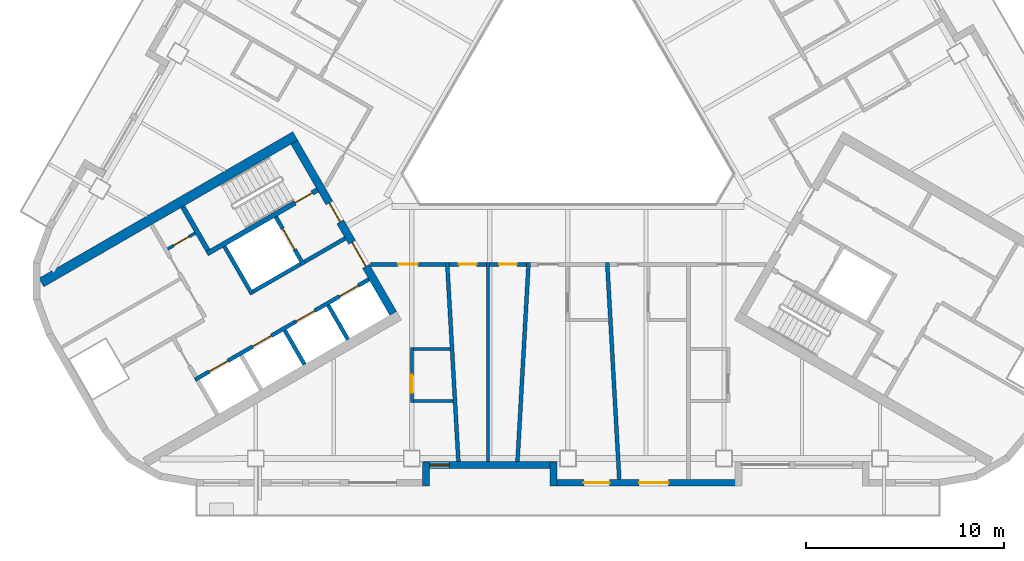
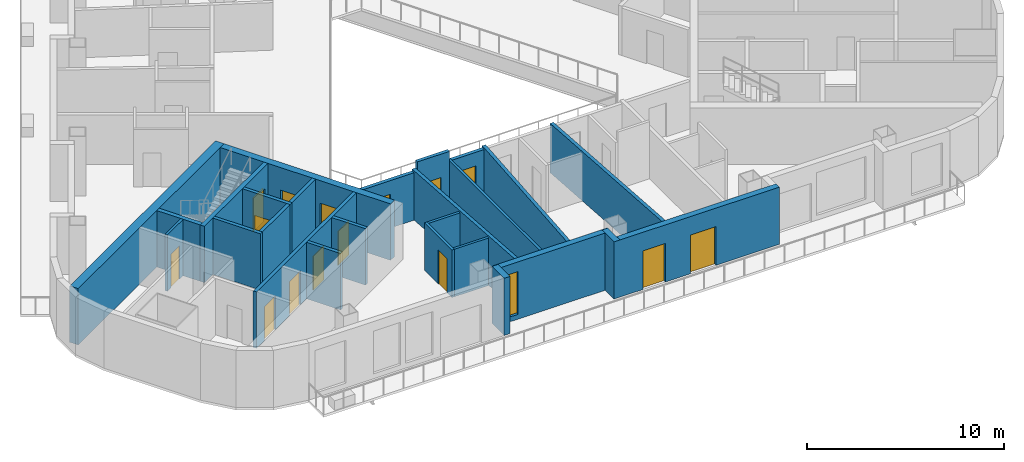
# One storey, part 3 of 14: 26 walls, 15 doors, 1 window, 16 openings.
"""IFC4 building model written with IfcOpenShell, lengths in metres."""

from ifc_helpers import new_model, si_unit, direction, frame, frame_2d, origin, place, context, subcontext, project, spatial, rectangle, extrude, material, layer, layer_set, type_object, element, fill, save


model = new_model("IFC4")

# Units and contexts
model_context = context("Model", 3, precision=1e-05, world=origin(), true_north=direction((0.0, 1.0)))
body_context = subcontext(model_context, "Body", "Model", "MODEL_VIEW")
ifc_project = project(units=[si_unit("LENGTHUNIT", "METRE"), si_unit("AREAUNIT", "SQUARE_METRE"), si_unit("VOLUMEUNIT", "CUBIC_METRE"), si_unit("PLANEANGLEUNIT", "RADIAN"), si_unit("MASSUNIT", "GRAM", prefix="KILO")], contexts=[model_context])

# Site, building, storey
site_placement = place(None, origin())
site = spatial("IfcSite", under=ifc_project, at=site_placement, CompositionType="ELEMENT")
building_placement = place(site_placement, origin())
building = spatial("IfcBuilding", under=site, at=building_placement, Name="Apuvela Tower Hotel", CompositionType="ELEMENT")
storey_placement = place(building_placement, frame((0.0, 0.0, 150.300048828125)))
storey = spatial("IfcBuildingStorey", under=building, at=storey_placement, Name="L35", CompositionType="ELEMENT", Elevation=150.300048828125)

# Wall, openings, doors
ifc_material_1 = material(Name="Concrete C50/60", Category="concrete")
ifc_layer_1 = layer(ifc_material_1, 0.39990234375)
ifc_layer_set_1 = layer_set([ifc_layer_1], Name="COR-WALL-CORE-400")
wall_type_1 = type_object("IfcWallType", Name="COR-WALL-CORE-400", PredefinedType="SHEAR", material=ifc_layer_set_1)
wall_1_placement = place(storey_placement, frame((-13.844970703125, -2.219970703125, 0.0), z_axis=(0.0, 0.0, 1.0), x_axis=(0.500004234368, -0.866022959057, 0.0)))
wall_1 = element("IfcWall", 1, at=wall_1_placement, inside=storey, type_object=wall_type_1, Name="Core wall SW", PredefinedType="SHEAR", context=body_context, shape_type="SweptSolid", body=[
    extrude(rectangle(XDim=10.0, YDim=0.39990234375, at=frame_2d((5.0, 0.0))), origin(), (0.0, 0.0, 1.0), 3.5),
])
opening_1_placement = place(wall_1_placement, frame((3.550048828125, 0.0, 0.0)))
opening_1 = element("IfcOpeningElement", 2, at=opening_1_placement, cuts=wall_1, Name="Opening W-FD", PredefinedType="OPENING", context=body_context, shape_type="SweptSolid", body=[
    extrude(rectangle(XDim=1.10009765625, YDim=2.10009765625, at=frame_2d((0.550048828125, 1.050048828125))), frame((0.0, 0.2099609375, 0.0), z_axis=(0.0, -1.0, 0.0), x_axis=(1.0, 0.0, 0.0)), (0.0, 0.0, 1.0), 0.419921875),
])
opening_2_placement = place(wall_1_placement, frame((5.85009765625, 0.0, 0.0)))
opening_2 = element("IfcOpeningElement", 3, at=opening_2_placement, cuts=wall_1, Name="Opening W-GD", PredefinedType="OPENING", context=body_context, shape_type="SweptSolid", body=[
    extrude(rectangle(XDim=1.39990234375, YDim=2.10009765625, at=frame_2d((0.699951171875, 1.050048828125))), frame((0.0, 0.2099609375, 0.0), z_axis=(0.0, -1.0, 0.0), x_axis=(1.0, 0.0, 0.0)), (0.0, 0.0, 1.0), 0.419921875),
])
ifc_material_2 = material(Name="Steel fire door, powder coated", Category="steel")
door_type_1 = type_object("IfcDoorType", Name="COR-FD-1100", OperationType="NOTDEFINED", PredefinedType="DOOR", material=ifc_material_2)
door_1_placement = place(opening_1_placement, frame((1.10009765625, 0.0, 0.0), z_axis=(0.0, 0.0, 1.0), x_axis=(-1.0, 0.0, 0.0)))
door_1 = element("IfcDoor", 4, at=door_1_placement, inside=storey, type_object=door_type_1, Name="Firefighting lobby door W-FD", OperationType="SINGLE_SWING_LEFT", OverallHeight=2.10009765625, OverallWidth=1.10009765625, PredefinedType="DOOR", context=body_context, shape_type="SweptSolid", body=[
    extrude(rectangle(XDim=1.10009765625, YDim=2.10009765625, at=frame_2d((0.550048828125, 1.050048828125))), frame((0.0, 0.02490234375, 0.0), z_axis=(0.0, -1.0, 0.0), x_axis=(1.0, 0.0, 0.0)), (0.0, 0.0, 1.0), 0.050048828125),
])
fill(opening_1, door_1)
ifc_material_3 = material(Name="Glazed steel fire door", Category="steel")
door_type_2 = type_object("IfcDoorType", Name="COR-GD-1400", OperationType="DOUBLE_DOOR_SINGLE_SWING", PredefinedType="DOOR", material=ifc_material_3)
door_2_placement = place(opening_2_placement, frame((1.39990234375, 0.0, 0.0), z_axis=(0.0, 0.0, 1.0), x_axis=(-1.0, 0.0, 0.0)))
door_2 = element("IfcDoor", 5, at=door_2_placement, inside=storey, type_object=door_type_2, Name="Lift lobby door W-GD", OperationType="DOUBLE_DOOR_SINGLE_SWING", OverallHeight=2.10009765625, OverallWidth=1.39990234375, PredefinedType="DOOR", context=body_context, shape_type="SweptSolid", body=[
    extrude(rectangle(XDim=1.39990234375, YDim=2.10009765625, at=frame_2d((0.699951171875, 1.050048828125))), frame((0.0, 0.02490234375, 0.0), z_axis=(0.0, -1.0, 0.0), x_axis=(1.0, 0.0, 0.0)), (0.0, 0.0, 1.0), 0.050048828125),
])
fill(opening_2, door_2)

# Wall
ifc_layer_2 = layer(ifc_material_1, 0.5)
ifc_layer_set_2 = layer_set([ifc_layer_2], Name="COR-WALL-CORE-500")
wall_type_2 = type_object("IfcWallType", Name="COR-WALL-CORE-500", PredefinedType="SHEAR", material=ifc_layer_set_2)
wall_2_placement = place(storey_placement, frame((-13.796630859375, -1.9033203125, 0.0), z_axis=(0.0, 0.0, 1.0), x_axis=(-0.866025009528, -0.500000682871, 0.0)))
element("IfcWall", 6, at=wall_2_placement, inside=storey, type_object=wall_type_2, Name="Core wall SW", PredefinedType="SHEAR", context=body_context, shape_type="SweptSolid", body=[
    extrude(rectangle(XDim=14.8369140625, YDim=0.5, at=frame_2d((7.41845703125, 0.0))), origin(), (0.0, 0.0, 1.0), 3.5),
])

# Wall, opening, door
ifc_material_4 = material(Name="Blockwork 150 mm plastered", Category="masonry")
ifc_layer_3 = layer(ifc_material_4, 0.14990234375)
ifc_layer_set_3 = layer_set([ifc_layer_3], Name="COR-WALL-PART-150")
wall_type_3 = type_object("IfcWallType", Name="COR-WALL-PART-150", PredefinedType="PARTITIONING", material=ifc_layer_set_3)
wall_3_placement = place(storey_placement, frame((-18.866455078125, -6.822265625, 0.0), z_axis=(0.0, 0.0, 1.0), x_axis=(-0.866028054938, -0.499995408039, 0.0)))
wall_3 = element("IfcWall", 7, at=wall_3_placement, inside=storey, type_object=wall_type_3, Name="Partition SW", PredefinedType="PARTITIONING", context=body_context, shape_type="SweptSolid", body=[
    extrude(rectangle(XDim=1.60009765625, YDim=0.14990234375, at=frame_2d((0.800048828125, 0.0))), origin(), (0.0, 0.0, 1.0), 3.5),
])
opening_3_placement = place(wall_3_placement, frame((0.35009765625, 0.0, 0.0)))
opening_3 = element("IfcOpeningElement", 8, at=opening_3_placement, cuts=wall_3, Name="Opening W-RD", PredefinedType="OPENING", context=body_context, shape_type="SweptSolid", body=[
    extrude(rectangle(XDim=0.89990234375, YDim=2.10009765625, at=frame_2d((0.449951171875, 1.050048828125))), frame((0.0, 0.0849609375, 0.0), z_axis=(0.0, -1.0, 0.0), x_axis=(1.0, 0.0, 0.0)), (0.0, 0.0, 1.0), 0.169921875),
])
ifc_material_5 = material(Name="Steel access door, powder coated", Category="steel")
door_type_3 = type_object("IfcDoorType", Name="COR-RD-900", OperationType="NOTDEFINED", PredefinedType="DOOR", material=ifc_material_5)
door_3_placement = place(opening_3_placement, frame((0.89990234375, 0.0, 0.0), z_axis=(0.0, 0.0, 1.0), x_axis=(-1.0, 0.0, 0.0)))
door_3 = element("IfcDoor", 9, at=door_3_placement, inside=storey, type_object=door_type_3, Name="Riser door W-RD", OperationType="SINGLE_SWING_RIGHT", OverallHeight=2.10009765625, OverallWidth=0.89990234375, PredefinedType="DOOR", context=body_context, shape_type="SweptSolid", body=[
    extrude(rectangle(XDim=0.89990234375, YDim=2.10009765625, at=frame_2d((0.449951171875, 1.050048828125))), frame((0.0, 0.02490234375, 0.0), z_axis=(0.0, -1.0, 0.0), x_axis=(1.0, 0.0, 0.0)), (0.0, 0.0, 1.0), 0.050048828125),
])
fill(opening_3, door_3)

# Wall
ifc_layer_4 = layer(ifc_material_1, 0.199951171875)
ifc_layer_set_4 = layer_set([ifc_layer_4], Name="COR-WALL-SHAFT-200")
wall_type_4 = type_object("IfcWallType", Name="COR-WALL-SHAFT-200", PredefinedType="SHEAR", material=ifc_layer_set_4)
wall_4_placement = place(storey_placement, frame((-17.38134765625, -7.49462890625, 0.0), z_axis=(0.0, 0.0, 1.0), x_axis=(0.500011755427, -0.866018616679, 0.0)))
element("IfcWall", 10, at=wall_4_placement, inside=storey, type_object=wall_type_4, Name="Shaft wall SW", PredefinedType="SHEAR", context=body_context, shape_type="SweptSolid", body=[
    extrude(rectangle(XDim=2.80029296875, YDim=0.199951171875, at=frame_2d((1.400146484375, 0.0))), origin(), (0.0, 0.0, 1.0), 3.5),
])

# Wall, opening, door
wall_5_placement = place(storey_placement, frame((-14.783203125, -5.99462890625, 0.0), z_axis=(0.0, 0.0, 1.0), x_axis=(0.49994636267, -0.866056369097, 0.0)))
wall_5 = element("IfcWall", 11, at=wall_5_placement, inside=storey, type_object=wall_type_4, Name="Shaft wall SW", PredefinedType="SHEAR", context=body_context, shape_type="SweptSolid", body=[
    extrude(rectangle(XDim=2.800048828125, YDim=0.199951171875, at=frame_2d((1.39990234375, 0.0))), origin(), (0.0, 0.0, 1.0), 3.5),
])
opening_4_placement = place(wall_5_placement, frame((0.699951171875, 0.0, 0.0)))
opening_4 = element("IfcOpeningElement", 12, at=opening_4_placement, cuts=wall_5, Name="Opening W-LD-FS2", PredefinedType="OPENING", context=body_context, shape_type="SweptSolid", body=[
    extrude(rectangle(XDim=1.199951171875, YDim=2.10009765625, at=frame_2d((0.60009765625, 1.050048828125))), frame((0.0, 0.10986328125, 0.0), z_axis=(0.0, -1.0, 0.0), x_axis=(1.0, 0.0, 0.0)), (0.0, 0.0, 1.0), 0.219970703125),
])
ifc_material_6 = material(Name="Stainless steel lift landing door", Category="steel")
door_type_4 = type_object("IfcDoorType", Name="COR-LD-1200", OperationType="DOUBLE_DOOR_SLIDING", PredefinedType="DOOR", material=ifc_material_6)
door_4_placement = place(opening_4_placement, origin())
door_4 = element("IfcDoor", 13, at=door_4_placement, inside=storey, type_object=door_type_4, Name="Lift landing door W-LD-FS2", OperationType="DOUBLE_DOOR_SLIDING", OverallHeight=2.10009765625, OverallWidth=1.199951171875, PredefinedType="DOOR", context=body_context, shape_type="SweptSolid", body=[
    extrude(rectangle(XDim=1.199951171875, YDim=2.10009765625, at=frame_2d((0.60009765625, 1.050048828125))), frame((0.0, 0.02490234375, 0.0), z_axis=(0.0, -1.0, 0.0), x_axis=(1.0, 0.0, 0.0)), (0.0, 0.0, 1.0), 0.050048828125),
])
fill(opening_4, door_4)

# Walls
wall_6_placement = place(storey_placement, frame((-13.519775390625, -8.383056640625, 0.0), z_axis=(0.0, 0.0, 1.0), x_axis=(-0.866034573852, -0.49998411664, 0.0)))
element("IfcWall", 14, at=wall_6_placement, inside=storey, type_object=wall_type_4, Name="Shaft wall SW", PredefinedType="SHEAR", context=body_context, shape_type="SweptSolid", body=[
    extrude(rectangle(XDim=2.7998046875, YDim=0.199951171875, at=frame_2d((1.39990234375, 0.0))), origin(), (0.0, 0.0, 1.0), 3.5),
])
wall_7_placement = place(storey_placement, frame((-11.26806640625, -7.0830078125, 0.0), z_axis=(0.0, 0.0, 1.0), x_axis=(-0.866050077142, -0.499957262057, 0.0)))
element("IfcWall", 15, at=wall_7_placement, inside=storey, type_object=wall_type_4, Name="Shaft wall SW", PredefinedType="SHEAR", context=body_context, shape_type="SweptSolid", body=[
    extrude(rectangle(XDim=2.400146484375, YDim=0.199951171875, at=frame_2d((1.2001953125, 0.0))), origin(), (0.0, 0.0, 1.0), 3.5),
])

# Wall, openings, doors
wall_8_placement = place(storey_placement, frame((-10.068115234375, -9.16162109375, 0.0), z_axis=(0.0, 0.0, 1.0), x_axis=(-0.866032725843, -0.499987317609, 0.0)))
wall_8 = element("IfcWall", 16, at=wall_8_placement, inside=storey, type_object=wall_type_4, Name="Shaft wall SW", PredefinedType="SHEAR", context=body_context, shape_type="SweptSolid", body=[
    extrude(rectangle(XDim=10.159912109375, YDim=0.199951171875, at=frame_2d((5.080078125, 0.0))), origin(), (0.0, 0.0, 1.0), 3.5),
])
opening_5_placement = place(wall_8_placement, frame((0.6201171875, 0.0, 0.0)))
opening_5 = element("IfcOpeningElement", 17, at=opening_5_placement, cuts=wall_8, Name="Opening W-LD-MR1", PredefinedType="OPENING", context=body_context, shape_type="SweptSolid", body=[
    extrude(rectangle(XDim=1.10009765625, YDim=2.10009765625, at=frame_2d((0.550048828125, 1.050048828125))), frame((0.0, 0.10986328125, 0.0), z_axis=(0.0, -1.0, 0.0), x_axis=(1.0, 0.0, 0.0)), (0.0, 0.0, 1.0), 0.219970703125),
])
opening_6_placement = place(wall_8_placement, frame((3.159912109375, 0.0, 0.0)))
opening_6 = element("IfcOpeningElement", 18, at=opening_6_placement, cuts=wall_8, Name="Opening W-LD-MR2", PredefinedType="OPENING", context=body_context, shape_type="SweptSolid", body=[
    extrude(rectangle(XDim=1.10009765625, YDim=2.10009765625, at=frame_2d((0.550048828125, 1.050048828125))), frame((0.0, 0.10986328125, 0.0), z_axis=(0.0, -1.0, 0.0), x_axis=(1.0, 0.0, 0.0)), (0.0, 0.0, 1.0), 0.219970703125),
])
opening_7_placement = place(wall_8_placement, frame((5.699951171875, 0.0, 0.0)))
opening_7 = element("IfcOpeningElement", 19, at=opening_7_placement, cuts=wall_8, Name="Opening W-LD-MR3", PredefinedType="OPENING", context=body_context, shape_type="SweptSolid", body=[
    extrude(rectangle(XDim=1.10009765625, YDim=2.10009765625, at=frame_2d((0.550048828125, 1.050048828125))), frame((0.0, 0.10986328125, 0.0), z_axis=(0.0, -1.0, 0.0), x_axis=(1.0, 0.0, 0.0)), (0.0, 0.0, 1.0), 0.219970703125),
])
opening_8_placement = place(wall_8_placement, frame((8.239990234375, 0.0, 0.0)))
opening_8 = element("IfcOpeningElement", 20, at=opening_8_placement, cuts=wall_8, Name="Opening W-LD-MR4", PredefinedType="OPENING", context=body_context, shape_type="SweptSolid", body=[
    extrude(rectangle(XDim=1.10009765625, YDim=2.10009765625, at=frame_2d((0.550048828125, 1.050048828125))), frame((0.0, 0.10986328125, 0.0), z_axis=(0.0, -1.0, 0.0), x_axis=(1.0, 0.0, 0.0)), (0.0, 0.0, 1.0), 0.219970703125),
])
door_type_5 = type_object("IfcDoorType", Name="COR-LD-1100", OperationType="DOUBLE_DOOR_SLIDING", PredefinedType="DOOR", material=ifc_material_6)
door_5_placement = place(opening_5_placement, origin())
door_5 = element("IfcDoor", 21, at=door_5_placement, inside=storey, type_object=door_type_5, Name="Lift landing door W-LD-MR1", OperationType="DOUBLE_DOOR_SLIDING", OverallHeight=2.10009765625, OverallWidth=1.10009765625, PredefinedType="DOOR", context=body_context, shape_type="SweptSolid", body=[
    extrude(rectangle(XDim=1.10009765625, YDim=2.10009765625, at=frame_2d((0.550048828125, 1.050048828125))), frame((0.0, 0.02490234375, 0.0), z_axis=(0.0, -1.0, 0.0), x_axis=(1.0, 0.0, 0.0)), (0.0, 0.0, 1.0), 0.050048828125),
])
fill(opening_5, door_5)
door_6_placement = place(opening_6_placement, origin())
door_6 = element("IfcDoor", 22, at=door_6_placement, inside=storey, type_object=door_type_5, Name="Lift landing door W-LD-MR2", OperationType="DOUBLE_DOOR_SLIDING", OverallHeight=2.10009765625, OverallWidth=1.10009765625, PredefinedType="DOOR", context=body_context, shape_type="SweptSolid", body=[
    extrude(rectangle(XDim=1.10009765625, YDim=2.10009765625, at=frame_2d((0.550048828125, 1.050048828125))), frame((0.0, 0.02490234375, 0.0), z_axis=(0.0, -1.0, 0.0), x_axis=(1.0, 0.0, 0.0)), (0.0, 0.0, 1.0), 0.050048828125),
])
fill(opening_6, door_6)
door_7_placement = place(opening_7_placement, origin())
door_7 = element("IfcDoor", 23, at=door_7_placement, inside=storey, type_object=door_type_5, Name="Lift landing door W-LD-MR3", OperationType="DOUBLE_DOOR_SLIDING", OverallHeight=2.10009765625, OverallWidth=1.10009765625, PredefinedType="DOOR", context=body_context, shape_type="SweptSolid", body=[
    extrude(rectangle(XDim=1.10009765625, YDim=2.10009765625, at=frame_2d((0.550048828125, 1.050048828125))), frame((0.0, 0.02490234375, 0.0), z_axis=(0.0, -1.0, 0.0), x_axis=(1.0, 0.0, 0.0)), (0.0, 0.0, 1.0), 0.050048828125),
])
fill(opening_7, door_7)
door_8_placement = place(opening_8_placement, origin())
door_8 = element("IfcDoor", 24, at=door_8_placement, inside=storey, type_object=door_type_5, Name="Lift landing door W-LD-MR4", OperationType="DOUBLE_DOOR_SLIDING", OverallHeight=2.10009765625, OverallWidth=1.10009765625, PredefinedType="DOOR", context=body_context, shape_type="SweptSolid", body=[
    extrude(rectangle(XDim=1.10009765625, YDim=2.10009765625, at=frame_2d((0.550048828125, 1.050048828125))), frame((0.0, 0.02490234375, 0.0), z_axis=(0.0, -1.0, 0.0), x_axis=(1.0, 0.0, 0.0)), (0.0, 0.0, 1.0), 0.050048828125),
])
fill(opening_8, door_8)

# Walls
for number, where, z_axis, x_axis, name in (
    (25, (-12.131103515625, -10.468017578125, 0.0), (0.0, 0.0, 1.0), (0.499972520799, -0.866041268327, 0.0), "Shaft wall SW"),
    (26, (-14.330810546875, -11.738037109375, 0.0), (0.0, 0.0, 1.0), (0.499972520799, -0.866041268327, 0.0), "Shaft wall SW"),
):
    element("IfcWall", number, at=place(storey_placement, frame(where, z_axis=z_axis, x_axis=x_axis)), inside=storey, type_object=wall_type_4, Name=name, PredefinedType="SHEAR", context=body_context, shape_type="SweptSolid", body=[
        extrude(rectangle(XDim=2.0, YDim=0.199951171875, at=frame_2d((1.0, 0.0))), origin(), (0.0, 0.0, 1.0), 3.5),
    ])

# Wall, opening, door
ifc_layer_5 = layer(ifc_material_1, 0.25)
ifc_layer_set_5 = layer_set([ifc_layer_5], Name="COR-WALL-STAIR-250")
wall_type_5 = type_object("IfcWallType", Name="COR-WALL-STAIR-250", PredefinedType="SHEAR", material=ifc_layer_set_5)
wall_9_placement = place(storey_placement, frame((-12.6806640625, -4.636474609375, 0.0), z_axis=(0.0, 0.0, 1.0), x_axis=(-0.866021702275, -0.500006411147, 0.0)))
wall_9 = element("IfcWall", 27, at=wall_9_placement, inside=storey, type_object=wall_type_5, Name="Stair wall SW", PredefinedType="SHEAR", context=body_context, shape_type="SweptSolid", body=[
    extrude(rectangle(XDim=6.4501953125, YDim=0.25, at=frame_2d((3.22509765625, 0.0))), origin(), (0.0, 0.0, 1.0), 3.5),
])
opening_9_placement = place(wall_9_placement, frame((0.300048828125, 0.0, 0.0)))
opening_9 = element("IfcOpeningElement", 28, at=opening_9_placement, cuts=wall_9, Name="Opening W-SD", PredefinedType="OPENING", context=body_context, shape_type="SweptSolid", body=[
    extrude(rectangle(XDim=1.0, YDim=2.10009765625, at=frame_2d((0.5, 1.050048828125))), frame((0.0, 0.135009765625, 0.0), z_axis=(0.0, -1.0, 0.0), x_axis=(1.0, 0.0, 0.0)), (0.0, 0.0, 1.0), 0.27001953125),
])
door_type_6 = type_object("IfcDoorType", Name="COR-SD-1000", OperationType="NOTDEFINED", PredefinedType="DOOR", material=ifc_material_2)
door_9_placement = place(opening_9_placement, frame((1.0, 0.0, 0.0), z_axis=(0.0, 0.0, 1.0), x_axis=(-1.0, 0.0, 0.0)))
door_9 = element("IfcDoor", 29, at=door_9_placement, inside=storey, type_object=door_type_6, Name="Stair door W-SD", OperationType="SINGLE_SWING_LEFT", OverallHeight=2.10009765625, OverallWidth=1.0, PredefinedType="DOOR", context=body_context, shape_type="SweptSolid", body=[
    extrude(rectangle(XDim=1.0, YDim=2.10009765625, at=frame_2d((0.5, 1.050048828125))), frame((0.0, 0.02490234375, 0.0), z_axis=(0.0, -1.0, 0.0), x_axis=(1.0, 0.0, 0.0)), (0.0, 0.0, 1.0), 0.050048828125),
])
fill(opening_9, door_9)

# Walls
wall_10_placement = place(storey_placement, frame((-19.49560546875, -5.482421875, 0.0), z_axis=(0.0, 0.0, 1.0), x_axis=(0.499990435942, -0.866030925526, 0.0)))
element("IfcWall", 30, at=wall_10_placement, inside=storey, type_object=wall_type_5, Name="Stair wall SW", PredefinedType="SHEAR", context=body_context, shape_type="SweptSolid", body=[
    extrude(rectangle(XDim=2.5498046875, YDim=0.25, at=frame_2d((1.27490234375, 0.0))), origin(), (0.0, 0.0, 1.0), 3.5),
])
ifc_material_7 = material(Name="Concrete C40/50, dark pigmented precast panel", Category="concrete")
ifc_layer_6 = layer(ifc_material_7, 0.35009765625)
ifc_layer_set_6 = layer_set([ifc_layer_6], Name="ENV-WALL-350")
wall_type_6 = type_object("IfcWallType", Name="ENV-WALL-350", PredefinedType="SOLIDWALL", material=ifc_layer_set_6)
wall_11_placement = place(storey_placement, frame((-7.175048828125, -19.6298828125, 0.0), z_axis=(0.0, 0.0, 1.0), x_axis=(0.0, 1.0, 0.0)))
element("IfcWall", 31, at=wall_11_placement, inside=storey, type_object=wall_type_6, Name="External wall L35-18", PredefinedType="SOLIDWALL", context=body_context, shape_type="SweptSolid", body=[
    extrude(rectangle(XDim=1.219970703125, YDim=0.35009765625, at=frame_2d((0.60986328125, 0.0))), origin(), (0.0, 0.0, 1.0), 3.550048828125),
])

# Wall, opening, window
wall_12_placement = place(storey_placement, frame((-7.320068359375, -18.554931640625, 0.0), z_axis=(0.0, 0.0, 1.0), x_axis=(1.0, 0.0, 0.0)))
wall_12 = element("IfcWall", 32, at=wall_12_placement, inside=storey, type_object=wall_type_6, Name="External wall L35-19", PredefinedType="SOLIDWALL", context=body_context, shape_type="SweptSolid", body=[
    extrude(rectangle(XDim=6.739990234375, YDim=0.35009765625, at=frame_2d((3.3701171875, 0.0))), origin(), (0.0, 0.0, 1.0), 3.550048828125),
])
opening_10_placement = place(wall_12_placement, frame((0.3203125, 0.0, 0.300048828125)))
opening_10 = element("IfcOpeningElement", 33, at=opening_10_placement, cuts=wall_12, Name="Opening WN10", PredefinedType="OPENING", context=body_context, shape_type="SweptSolid", body=[
    extrude(rectangle(XDim=1.0, YDim=2.64990234375, at=frame_2d((0.5, 1.324951171875))), frame((0.0, 0.18505859375, 0.0), z_axis=(0.0, -1.0, 0.0), x_axis=(1.0, 0.0, 0.0)), (0.0, 0.0, 1.0), 0.3701171875),
])
ifc_material_8 = material(Name="Glass, dark tinted laminated insulated glazing unit", Category="glass")
window_type = type_object("IfcWindowType", Name="ENV-WIN-1000x2650", PartitioningType="SINGLE_PANEL", PredefinedType="WINDOW", material=ifc_material_8)
window_placement = place(opening_10_placement, origin())
window = element("IfcWindow", 34, at=window_placement, inside=storey, type_object=window_type, Name="Window WN10", OverallHeight=2.64990234375, OverallWidth=1.0, PartitioningType="SINGLE_PANEL", PredefinedType="WINDOW", context=body_context, shape_type="SweptSolid", body=[
    extrude(rectangle(XDim=1.0, YDim=2.64990234375, at=frame_2d((0.5, 1.324951171875))), frame((0.0, 0.030029296875, 0.0), z_axis=(0.0, -1.0, 0.0), x_axis=(1.0, 0.0, 0.0)), (0.0, 0.0, 1.0), 0.06005859375),
])
fill(opening_10, window)

# Wall
wall_13_placement = place(storey_placement, frame((-0.72509765625, -18.409912109375, 0.0), z_axis=(0.0, 0.0, 1.0), x_axis=(0.0, -1.0, 0.0)))
element("IfcWall", 35, at=wall_13_placement, inside=storey, type_object=wall_type_6, Name="External wall L35-20", PredefinedType="SOLIDWALL", context=body_context, shape_type="SweptSolid", body=[
    extrude(rectangle(XDim=1.219970703125, YDim=0.35009765625, at=frame_2d((0.60986328125, 0.0))), origin(), (0.0, 0.0, 1.0), 3.550048828125),
])

# Wall, openings, doors
wall_14_placement = place(storey_placement, frame((-0.89990234375, -19.455078125, 0.0), z_axis=(0.0, 0.0, 1.0), x_axis=(1.0, 0.0, 0.0)))
wall_14 = element("IfcWall", 36, at=wall_14_placement, inside=storey, type_object=wall_type_6, Name="External wall L35-21", PredefinedType="SOLIDWALL", context=body_context, shape_type="SweptSolid", body=[
    extrude(rectangle(XDim=9.699951171875, YDim=0.35009765625, at=frame_2d((4.85009765625, 0.0))), origin(), (0.0, 0.0, 1.0), 3.550048828125),
])
opening_11_placement = place(wall_14_placement, frame((1.71240234375, 0.0, 0.0)))
opening_11 = element("IfcOpeningElement", 37, at=opening_11_placement, cuts=wall_14, Name="Opening BD13", PredefinedType="OPENING", context=body_context, shape_type="SweptSolid", body=[
    extrude(rectangle(XDim=1.300048828125, YDim=2.39990234375, at=frame_2d((0.64990234375, 1.199951171875))), frame((0.0, 0.18505859375, 0.0), z_axis=(0.0, -1.0, 0.0), x_axis=(1.0, 0.0, 0.0)), (0.0, 0.0, 1.0), 0.3701171875),
])
opening_12_placement = place(wall_14_placement, frame((4.5, 0.0, 0.0)))
opening_12 = element("IfcOpeningElement", 38, at=opening_12_placement, cuts=wall_14, Name="Opening BD15", PredefinedType="OPENING", context=body_context, shape_type="SweptSolid", body=[
    extrude(rectangle(XDim=1.5, YDim=2.39990234375, at=frame_2d((0.75, 1.199951171875))), frame((0.0, 0.18505859375, 0.0), z_axis=(0.0, -1.0, 0.0), x_axis=(1.0, 0.0, 0.0)), (0.0, 0.0, 1.0), 0.3701171875),
])
ifc_material_9 = material(Name="Aluminium 6063-T6, dark bronze anodised frame with dark tinted laminated glass", Category="aluminium")
door_type_7 = type_object("IfcDoorType", Name="ENV-DOOR-BALCONY-1300x2400", OperationType="SLIDING_TO_LEFT", PredefinedType="DOOR", material=ifc_material_9)
door_10_placement = place(opening_11_placement, frame((1.300048828125, 0.0, 0.0), z_axis=(0.0, 0.0, 1.0), x_axis=(-1.0, 0.0, 0.0)))
door_10 = element("IfcDoor", 39, at=door_10_placement, inside=storey, type_object=door_type_7, Name="Balcony door BD13", OperationType="SLIDING_TO_LEFT", OverallHeight=2.39990234375, OverallWidth=1.300048828125, PredefinedType="DOOR", context=body_context, shape_type="SweptSolid", body=[
    extrude(rectangle(XDim=1.300048828125, YDim=2.39990234375, at=frame_2d((0.64990234375, 1.199951171875))), frame((0.0, 0.02490234375, 0.0), z_axis=(0.0, -1.0, 0.0), x_axis=(1.0, 0.0, 0.0)), (0.0, 0.0, 1.0), 0.050048828125),
])
fill(opening_11, door_10)
door_type_8 = type_object("IfcDoorType", Name="ENV-DOOR-BALCONY-1500x2400", OperationType="SLIDING_TO_LEFT", PredefinedType="DOOR", material=ifc_material_9)
door_11_placement = place(opening_12_placement, frame((1.5, 0.0, 0.0), z_axis=(0.0, 0.0, 1.0), x_axis=(-1.0, 0.0, 0.0)))
door_11 = element("IfcDoor", 40, at=door_11_placement, inside=storey, type_object=door_type_8, Name="Balcony door BD15", OperationType="SLIDING_TO_LEFT", OverallHeight=2.39990234375, OverallWidth=1.5, PredefinedType="DOOR", context=body_context, shape_type="SweptSolid", body=[
    extrude(rectangle(XDim=1.5, YDim=2.39990234375, at=frame_2d((0.75, 1.199951171875))), frame((0.0, 0.02490234375, 0.0), z_axis=(0.0, -1.0, 0.0), x_axis=(1.0, 0.0, 0.0)), (0.0, 0.0, 1.0), 0.050048828125),
])
fill(opening_12, door_11)

# Walls
ifc_material_10 = material(Name="Gypsum board partition on twin steel stud", Category="steel")
ifc_layer_7 = layer(ifc_material_10, 0.199951171875)
ifc_layer_set_7 = layer_set([ifc_layer_7], Name="GST-PW1")
wall_type_7 = type_object("IfcWallType", Name="GST-PW1", PredefinedType="PARTITIONING", material=ifc_layer_set_7)
wall_15_placement = place(storey_placement, frame((-5.541015625, -18.3798828125, 0.0), z_axis=(0.0, 0.0, 1.0), x_axis=(-0.056489207214, 0.998403209865, 0.0)))
element("IfcWall", 41, at=wall_15_placement, inside=storey, type_object=wall_type_7, Name="L35 partition 01", PredefinedType="PARTITIONING", context=body_context, shape_type="SweptSolid", body=[
    extrude(rectangle(XDim=10.095947265625, YDim=0.199951171875, at=frame_2d((5.0478515625, 0.0))), origin(), (0.0, 0.0, 1.0), 3.06005859375),
])
wall_16_placement = place(storey_placement, frame((-2.5498046875, -18.3798828125, 0.0), z_axis=(0.0, 0.0, 1.0), x_axis=(0.055549043036, 0.998455959879, 0.0)))
element("IfcWall", 42, at=wall_16_placement, inside=storey, type_object=wall_type_7, Name="L35 partition 02", PredefinedType="PARTITIONING", context=body_context, shape_type="SweptSolid", body=[
    extrude(rectangle(XDim=10.095458984375, YDim=0.199951171875, at=frame_2d((5.0478515625, 0.0))), origin(), (0.0, 0.0, 1.0), 3.06005859375),
])
wall_17_placement = place(storey_placement, frame((2.60009765625, -19.280029296875, 0.0), z_axis=(0.0, 0.0, 1.0), x_axis=(-0.055568385591, 0.998454883569, 0.0)))
element("IfcWall", 43, at=wall_17_placement, inside=storey, type_object=wall_type_7, Name="L35 partition 03", PredefinedType="PARTITIONING", context=body_context, shape_type="SweptSolid", body=[
    extrude(rectangle(XDim=10.9970703125, YDim=0.199951171875, at=frame_2d((5.49853515625, 0.0))), origin(), (0.0, 0.0, 1.0), 3.06005859375),
])

# Wall, opening, door
ifc_material_11 = material(Name="Gypsum board corridor wall on twin steel stud, acoustic", Category="steel")
ifc_layer_8 = layer(ifc_material_11, 0.199951171875)
ifc_layer_set_8 = layer_set([ifc_layer_8], Name="GST-PW2")
wall_type_8 = type_object("IfcWallType", Name="GST-PW2", PredefinedType="PARTITIONING", material=ifc_layer_set_8)
wall_18_placement = place(storey_placement, frame((-6.205810546875, -8.39990234375, 0.0), z_axis=(0.0, 0.0, 1.0), x_axis=(-1.0, 0.0, 0.0)))
wall_18 = element("IfcWall", 44, at=wall_18_placement, inside=storey, type_object=wall_type_8, Name="L35 partition 11", PredefinedType="PARTITIONING", context=body_context, shape_type="SweptSolid", body=[
    extrude(rectangle(XDim=3.782470703125, YDim=0.199951171875, at=frame_2d((1.89111328125, 0.0))), origin(), (0.0, 0.0, 1.0), 2.949951171875),
])
opening_13_placement = place(wall_18_placement, frame((1.39111328125, 0.0, 0.0)))
opening_13 = element("IfcOpeningElement", 45, at=opening_13_placement, cuts=wall_18, Name="Opening GD12-02", PredefinedType="OPENING", context=body_context, shape_type="SweptSolid", body=[
    extrude(rectangle(XDim=1.0, YDim=2.10009765625, at=frame_2d((0.5, 1.050048828125))), frame((0.0, 0.10986328125, 0.0), z_axis=(0.0, -1.0, 0.0), x_axis=(1.0, 0.0, 0.0)), (0.0, 0.0, 1.0), 0.219970703125),
])
ifc_material_12 = material(Name="Timber door leaf in steel frame", Category="steel")
door_type_9 = type_object("IfcDoorType", Name="GST-D1", OperationType="NOTDEFINED", PredefinedType="DOOR", material=ifc_material_12)
door_12_placement = place(opening_13_placement, origin())
door_12 = element("IfcDoor", 46, at=door_12_placement, inside=storey, type_object=door_type_9, Name="Door L35-02", OperationType="SINGLE_SWING_LEFT", OverallHeight=2.10009765625, OverallWidth=1.0, PredefinedType="DOOR", context=body_context, shape_type="SweptSolid", body=[
    extrude(rectangle(XDim=1.0, YDim=2.10009765625, at=frame_2d((0.5, 1.050048828125))), frame((0.0, 0.02490234375, 0.0), z_axis=(0.0, -1.0, 0.0), x_axis=(1.0, 0.0, 0.0)), (0.0, 0.0, 1.0), 0.050048828125),
])
fill(opening_13, door_12)

wall_19_placement = place(storey_placement, frame((-4.125, -8.39990234375, 0.0), z_axis=(0.0, 0.0, 1.0), x_axis=(-1.0, 0.0, 0.0)))
wall_19 = element("IfcWall", 47, at=wall_19_placement, inside=storey, type_object=wall_type_8, Name="L35 partition 16", PredefinedType="PARTITIONING", context=body_context, shape_type="SweptSolid", body=[
    extrude(rectangle(XDim=1.880615234375, YDim=0.199951171875, at=frame_2d((0.9404296875, 0.0))), origin(), (0.0, 0.0, 1.0), 3.550048828125),
])
opening_14_placement = place(wall_19_placement, frame((0.490234375, 0.0, 0.0)))
opening_14 = element("IfcOpeningElement", 48, at=opening_14_placement, cuts=wall_19, Name="Opening GD12-03", PredefinedType="OPENING", context=body_context, shape_type="SweptSolid", body=[
    extrude(rectangle(XDim=0.89990234375, YDim=2.10009765625, at=frame_2d((0.449951171875, 1.050048828125))), frame((0.0, 0.10986328125, 0.0), z_axis=(0.0, -1.0, 0.0), x_axis=(1.0, 0.0, 0.0)), (0.0, 0.0, 1.0), 0.219970703125),
])
door_type_10 = type_object("IfcDoorType", Name="GST-D2", OperationType="NOTDEFINED", PredefinedType="DOOR", material=ifc_material_12)
door_13_placement = place(opening_14_placement, origin())
door_13 = element("IfcDoor", 49, at=door_13_placement, inside=storey, type_object=door_type_10, Name="Door L35-03", OperationType="SINGLE_SWING_LEFT", OverallHeight=2.10009765625, OverallWidth=0.89990234375, PredefinedType="DOOR", context=body_context, shape_type="SweptSolid", body=[
    extrude(rectangle(XDim=0.89990234375, YDim=2.10009765625, at=frame_2d((0.449951171875, 1.050048828125))), frame((0.0, 0.02490234375, 0.0), z_axis=(0.0, -1.0, 0.0), x_axis=(1.0, 0.0, 0.0)), (0.0, 0.0, 1.0), 0.050048828125),
])
fill(opening_14, door_13)

wall_20_placement = place(storey_placement, frame((-2.094482421875, -8.39990234375, 0.0), z_axis=(0.0, 0.0, 1.0), x_axis=(-1.0, 0.0, 0.0)))
wall_20 = element("IfcWall", 50, at=wall_20_placement, inside=storey, type_object=wall_type_8, Name="L35 partition 17", PredefinedType="PARTITIONING", context=body_context, shape_type="SweptSolid", body=[
    extrude(rectangle(XDim=1.880615234375, YDim=0.199951171875, at=frame_2d((0.9404296875, 0.0))), origin(), (0.0, 0.0, 1.0), 2.949951171875),
])
opening_15_placement = place(wall_20_placement, frame((0.490234375, 0.0, 0.0)))
opening_15 = element("IfcOpeningElement", 51, at=opening_15_placement, cuts=wall_20, Name="Opening GD12-04", PredefinedType="OPENING", context=body_context, shape_type="SweptSolid", body=[
    extrude(rectangle(XDim=0.89990234375, YDim=2.10009765625, at=frame_2d((0.449951171875, 1.050048828125))), frame((0.0, 0.10986328125, 0.0), z_axis=(0.0, -1.0, 0.0), x_axis=(1.0, 0.0, 0.0)), (0.0, 0.0, 1.0), 0.219970703125),
])
door_14_placement = place(opening_15_placement, origin())
door_14 = element("IfcDoor", 52, at=door_14_placement, inside=storey, type_object=door_type_10, Name="Door L35-04", OperationType="SINGLE_SWING_RIGHT", OverallHeight=2.10009765625, OverallWidth=0.89990234375, PredefinedType="DOOR", context=body_context, shape_type="SweptSolid", body=[
    extrude(rectangle(XDim=0.89990234375, YDim=2.10009765625, at=frame_2d((0.449951171875, 1.050048828125))), frame((0.0, 0.02490234375, 0.0), z_axis=(0.0, -1.0, 0.0), x_axis=(1.0, 0.0, 0.0)), (0.0, 0.0, 1.0), 0.050048828125),
])
fill(opening_15, door_14)

ifc_material_13 = material(Name="Moisture-resistant gypsum board wet wall on steel stud", Category="steel")
ifc_layer_9 = layer(ifc_material_13, 0.14990234375)
ifc_layer_set_9 = layer_set([ifc_layer_9], Name="GST-PW3")
wall_type_9 = type_object("IfcWallType", Name="GST-PW3", PredefinedType="PARTITIONING", material=ifc_layer_set_9)
wall_21_placement = place(storey_placement, frame((-7.893310546875, -12.60009765625, 0.0), z_axis=(0.0, 0.0, 1.0), x_axis=(0.0, -1.0, 0.0)))
wall_21 = element("IfcWall", 53, at=wall_21_placement, inside=storey, type_object=wall_type_9, Name="L35 partition 12", PredefinedType="PARTITIONING", context=body_context, shape_type="SweptSolid", body=[
    extrude(rectangle(XDim=2.7998046875, YDim=0.14990234375, at=frame_2d((1.39990234375, 0.0))), origin(), (0.0, 0.0, 1.0), 2.949951171875),
])
opening_16_placement = place(wall_21_placement, frame((1.39990234375, 0.0, 0.0)))
opening_16 = element("IfcOpeningElement", 54, at=opening_16_placement, cuts=wall_21, Name="Opening GD12-01", PredefinedType="OPENING", context=body_context, shape_type="SweptSolid", body=[
    extrude(rectangle(XDim=0.89990234375, YDim=2.10009765625, at=frame_2d((0.449951171875, 1.050048828125))), frame((0.0, 0.0849609375, 0.0), z_axis=(0.0, -1.0, 0.0), x_axis=(1.0, 0.0, 0.0)), (0.0, 0.0, 1.0), 0.169921875),
])
door_15_placement = place(opening_16_placement, origin())
door_15 = element("IfcDoor", 55, at=door_15_placement, inside=storey, type_object=door_type_10, Name="Door L35-01", OperationType="SINGLE_SWING_RIGHT", OverallHeight=2.10009765625, OverallWidth=0.89990234375, PredefinedType="DOOR", context=body_context, shape_type="SweptSolid", body=[
    extrude(rectangle(XDim=0.89990234375, YDim=2.10009765625, at=frame_2d((0.449951171875, 1.050048828125))), frame((0.0, 0.02490234375, 0.0), z_axis=(0.0, -1.0, 0.0), x_axis=(1.0, 0.0, 0.0)), (0.0, 0.0, 1.0), 0.050048828125),
])
fill(opening_16, door_15)

# Walls
wall_22_placement = place(storey_placement, frame((-7.818115234375, -15.324951171875, 0.0), z_axis=(0.0, 0.0, 1.0), x_axis=(1.0, 0.0, 0.0)))
element("IfcWall", 56, at=wall_22_placement, inside=storey, type_object=wall_type_9, Name="L35 partition 13", PredefinedType="PARTITIONING", context=body_context, shape_type="SweptSolid", body=[
    extrude(rectangle(XDim=2.004150390625, YDim=0.14990234375, at=frame_2d((1.001953125, 0.0))), origin(), (0.0, 0.0, 1.0), 2.949951171875),
])
wall_23_placement = place(storey_placement, frame((-7.818115234375, -12.675048828125, 0.0), z_axis=(0.0, 0.0, 1.0), x_axis=(1.0, 0.0, 0.0)))
element("IfcWall", 57, at=wall_23_placement, inside=storey, type_object=wall_type_9, Name="L35 partition 14", PredefinedType="PARTITIONING", context=body_context, shape_type="SweptSolid", body=[
    extrude(rectangle(XDim=1.854248046875, YDim=0.14990234375, at=frame_2d((0.92724609375, 0.0))), origin(), (0.0, 0.0, 1.0), 2.949951171875),
])
wall_24_placement = place(storey_placement, frame((-4.04541015625, -18.3798828125, 0.0), z_axis=(0.0, 0.0, 1.0), x_axis=(-0.000460193232, 0.999999894111, 0.0)))
element("IfcWall", 58, at=wall_24_placement, inside=storey, type_object=wall_type_9, Name="L35 partition 15", PredefinedType="PARTITIONING", context=body_context, shape_type="SweptSolid", body=[
    extrude(rectangle(XDim=10.079833984375, YDim=0.14990234375, at=frame_2d((5.0400390625, 0.0))), origin(), (0.0, 0.0, 1.0), 2.949951171875),
])

save(model, "model.ifc")
